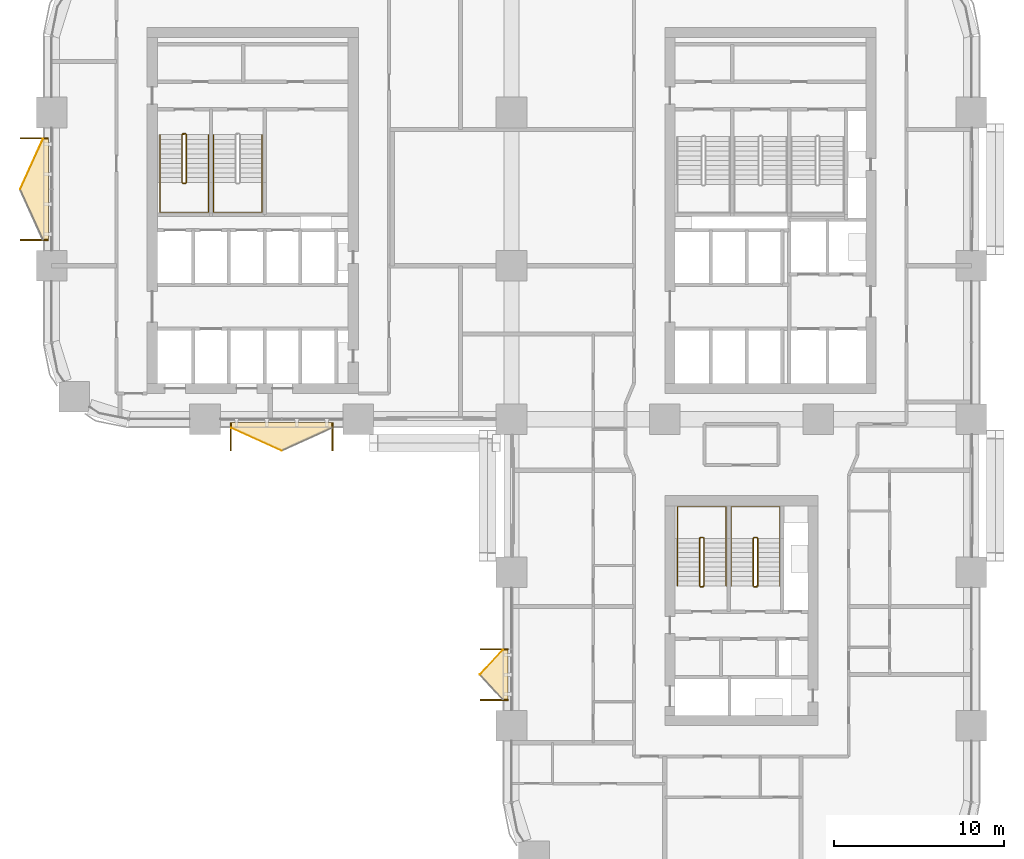
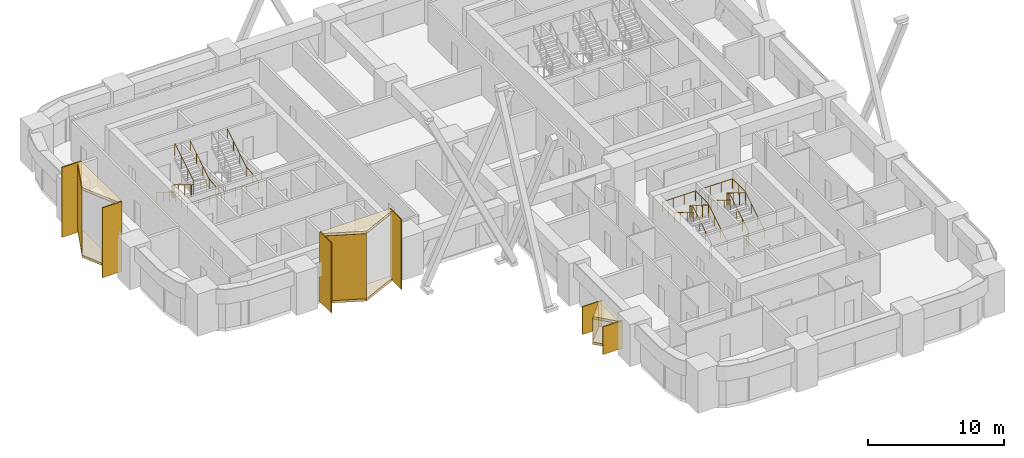
# One storey, part 18 of 19: 15 coverings, 7 railings.
"""IFC4 building model written with IfcOpenShell, lengths in metres."""

from ifc_helpers import new_model, si_unit, direction, frame, origin, origin_2d, place, context, subcontext, project, spatial, polyline, rectangle, circle, outline, extrude, material, layer, layer_set, type_object, element, save


model = new_model("IFC4")

# Units and contexts
model_context = context("Model", 3, precision=1e-05, world=origin(), true_north=direction((0.0, 1.0)))
body_context = subcontext(model_context, "Body", "Model", "MODEL_VIEW")
ifc_project = project(units=[si_unit("LENGTHUNIT", "METRE"), si_unit("AREAUNIT", "SQUARE_METRE"), si_unit("VOLUMEUNIT", "CUBIC_METRE"), si_unit("PLANEANGLEUNIT", "RADIAN"), si_unit("MASSUNIT", "GRAM", prefix="KILO")], contexts=[model_context])

# Site, building, storey
site_placement = place(None, origin())
site = spatial("IfcSite", under=ifc_project, at=site_placement, CompositionType="ELEMENT")
building_placement = place(site_placement, origin())
building = spatial("IfcBuilding", under=site, at=building_placement, Name="Tessera Arch", CompositionType="ELEMENT")
storey_placement = place(building_placement, frame((0.0, 0.0, 108.199951171875)))
storey = spatial("IfcBuildingStorey", under=building, at=storey_placement, Name="L25", CompositionType="ELEMENT", Elevation=108.199951171875)

# Railings
ifc_material_1 = material(Name="Painted steel balustrade", Category="steel")
railing_type_1 = type_object("IfcRailingType", Name="Stair guard 1100", PredefinedType="GUARDRAIL", material=ifc_material_1)
railing_1_placement = place(storey_placement, frame((7.699951171875, 43.75, 0.0)))
element("IfcRailing", 1, at=railing_1_placement, inside=storey, type_object=railing_type_1, Name="L25 S2a stair guard 1", PredefinedType="GUARDRAIL", context=body_context, shape_type="SweptSolid", body=[
    extrude(circle(Radius=0.02392578125, at=origin_2d()), frame((-0.00390625, 0.0, 1.076171875), z_axis=(1.0, 0.0, 0.0), x_axis=(0.0, 1.0, 0.0)), (0.0, 0.0, 1.0), 0.158203125),
    extrude(circle(Radius=0.02392578125, at=origin_2d()), frame((0.153076171875, 0.000732421875, 1.073486328125), z_axis=(-0.743708266585, -0.185927066646, 0.642128600905), x_axis=(0.242535625036, -0.970142500145, 0.0)), (0.0, 0.0, 1.0), 0.277099609375),
    extrude(circle(Radius=0.02392578125, at=origin_2d()), frame((-0.050048828125, -0.046630859375, 1.246826171875), z_axis=(0.0, -0.851089632645, 0.525020415988), x_axis=(1.0, 0.0, 0.0)), (0.0, 0.0, 1.0), 3.2978515625),
    extrude(circle(Radius=0.02392578125, at=origin_2d()), frame((-0.052978515625, -2.84716796875, 2.97607421875), z_axis=(0.708833529934, -0.705375805398, 0.0), x_axis=(0.705375805398, 0.708833529934, 0.0)), (0.0, 0.0, 1.0), 0.07861328125),
    extrude(circle(Radius=0.02392578125, at=origin_2d()), frame((-0.00390625, -2.89990234375, 2.97607421875), z_axis=(1.0, 0.0, 0.0), x_axis=(0.0, 1.0, 0.0)), (0.0, 0.0, 1.0), 0.158203125),
    extrude(circle(Radius=0.02392578125, at=origin_2d()), frame((0.149169921875, -2.90087890625, 2.972412109375), z_axis=(0.26715648603, 0.26715648603, 0.925880566782), x_axis=(-0.707106781187, 0.707106781187, 0.0)), (0.0, 0.0, 1.0), 0.1943359375),
    extrude(circle(Radius=0.02392578125, at=origin_2d()), frame((0.199951171875, -2.853515625, 3.146728515625), z_axis=(0.0, 0.851089632645, 0.525020415988), x_axis=(-1.0, 0.0, 0.0)), (0.0, 0.0, 1.0), 3.2978515625),
    extrude(circle(Radius=0.02099609375, at=origin_2d()), origin(), (0.0, 0.0, 1.0), 1.06396484375),
    extrude(circle(Radius=0.02099609375, at=origin_2d()), frame((0.150146484375, 0.0, 0.0)), (0.0, 0.0, 1.0), 1.06396484375),
    extrude(circle(Radius=0.02099609375, at=origin_2d()), frame((-0.050048828125, -0.050048828125, 0.1728515625)), (0.0, 0.0, 1.0), 1.06396484375),
    extrude(circle(Radius=0.02099609375, at=origin_2d()), frame((-0.050048828125, -0.9833984375, 0.74853515625)), (0.0, 0.0, 1.0), 1.06396484375),
    extrude(circle(Radius=0.02099609375, at=origin_2d()), frame((-0.050048828125, -1.916748046875, 1.324462890625)), (0.0, 0.0, 1.0), 1.06396484375),
    extrude(circle(Radius=0.02099609375, at=origin_2d()), frame((-0.050048828125, -2.85009765625, 1.900146484375)), (0.0, 0.0, 1.0), 1.06396484375),
    extrude(circle(Radius=0.02099609375, at=origin_2d()), frame((0.0, -2.89990234375, 1.900146484375)), (0.0, 0.0, 1.0), 1.06396484375),
    extrude(circle(Radius=0.02099609375, at=origin_2d()), frame((0.150146484375, -2.89990234375, 1.900146484375)), (0.0, 0.0, 1.0), 1.06396484375),
    extrude(circle(Radius=0.02099609375, at=origin_2d()), frame((0.199951171875, -2.85009765625, 2.07275390625)), (0.0, 0.0, 1.0), 1.06396484375),
    extrude(circle(Radius=0.02099609375, at=origin_2d()), frame((0.199951171875, -1.916748046875, 2.6484375)), (0.0, 0.0, 1.0), 1.06396484375),
    extrude(circle(Radius=0.02099609375, at=origin_2d()), frame((0.199951171875, -0.9833984375, 3.224365234375)), (0.0, 0.0, 1.0), 1.06396484375),
    extrude(circle(Radius=0.02099609375, at=origin_2d()), frame((0.199951171875, -0.050048828125, 3.800048828125)), (0.0, 0.0, 1.0), 1.06396484375),
])
railing_2_placement = place(storey_placement, frame((38.25, 17.14990234375, 0.0)))
element("IfcRailing", 2, at=railing_2_placement, inside=storey, type_object=railing_type_1, Name="L25 S3a stair guard 1", PredefinedType="GUARDRAIL", context=body_context, shape_type="SweptSolid", body=[
    extrude(circle(Radius=0.02392578125, at=origin_2d()), frame((0.00390625, 0.0, 1.076171875), z_axis=(-1.0, 0.0, 0.0), x_axis=(0.0, -1.0, 0.0)), (0.0, 0.0, 1.0), 0.157958984375),
    extrude(circle(Radius=0.02392578125, at=origin_2d()), frame((-0.15283203125, -0.000732421875, 1.073486328125), z_axis=(0.743302536996, 0.186052527575, 0.642561900114), x_axis=(-0.242814311512, 0.970072785993, 0.0)), (0.0, 0.0, 1.0), 0.277099609375),
    extrude(circle(Radius=0.02392578125, at=origin_2d()), frame((0.050048828125, 0.046630859375, 1.246826171875), z_axis=(0.0, 0.851089632645, 0.525020415988), x_axis=(-1.0, 0.0, 0.0)), (0.0, 0.0, 1.0), 3.2978515625),
    extrude(circle(Radius=0.02392578125, at=origin_2d()), frame((0.052978515625, 2.84716796875, 2.97607421875), z_axis=(-0.707106781187, 0.707106781187, 0.0), x_axis=(-0.707106781187, -0.707106781187, 0.0)), (0.0, 0.0, 1.0), 0.078857421875),
    extrude(circle(Radius=0.02392578125, at=origin_2d()), frame((0.00390625, 2.900146484375, 2.97607421875), z_axis=(-1.0, 0.0, 0.0), x_axis=(0.0, -1.0, 0.0)), (0.0, 0.0, 1.0), 0.157958984375),
    extrude(circle(Radius=0.02392578125, at=origin_2d()), frame((-0.14892578125, 2.901123046875, 2.972412109375), z_axis=(-0.268277960024, -0.268277960024, 0.925231793839), x_axis=(0.707106781187, -0.707106781187, 0.0)), (0.0, 0.0, 1.0), 0.194580078125),
    extrude(circle(Radius=0.02392578125, at=origin_2d()), frame((-0.199951171875, 2.853515625, 3.146728515625), z_axis=(0.0, -0.851089632645, 0.525020415988), x_axis=(1.0, 0.0, 0.0)), (0.0, 0.0, 1.0), 3.2978515625),
    extrude(circle(Radius=0.02099609375, at=origin_2d()), origin(), (0.0, 0.0, 1.0), 1.06396484375),
    extrude(circle(Radius=0.02099609375, at=origin_2d()), frame((-0.14990234375, 0.0, 0.0)), (0.0, 0.0, 1.0), 1.06396484375),
    extrude(circle(Radius=0.02099609375, at=origin_2d()), frame((0.050048828125, 0.050048828125, 0.1728515625)), (0.0, 0.0, 1.0), 1.06396484375),
    extrude(circle(Radius=0.02099609375, at=origin_2d()), frame((0.050048828125, 0.9833984375, 0.74853515625)), (0.0, 0.0, 1.0), 1.06396484375),
    extrude(circle(Radius=0.02099609375, at=origin_2d()), frame((0.050048828125, 1.916748046875, 1.324462890625)), (0.0, 0.0, 1.0), 1.06396484375),
    extrude(circle(Radius=0.02099609375, at=origin_2d()), frame((0.050048828125, 2.85009765625, 1.900146484375)), (0.0, 0.0, 1.0), 1.06396484375),
    extrude(circle(Radius=0.02099609375, at=origin_2d()), frame((0.0, 2.900146484375, 1.900146484375)), (0.0, 0.0, 1.0), 1.06396484375),
    extrude(circle(Radius=0.02099609375, at=origin_2d()), frame((-0.14990234375, 2.900146484375, 1.900146484375)), (0.0, 0.0, 1.0), 1.06396484375),
    extrude(circle(Radius=0.02099609375, at=origin_2d()), frame((-0.199951171875, 2.85009765625, 2.07275390625)), (0.0, 0.0, 1.0), 1.06396484375),
    extrude(circle(Radius=0.02099609375, at=origin_2d()), frame((-0.199951171875, 1.916748046875, 2.6484375)), (0.0, 0.0, 1.0), 1.06396484375),
    extrude(circle(Radius=0.02099609375, at=origin_2d()), frame((-0.199951171875, 0.9833984375, 3.224365234375)), (0.0, 0.0, 1.0), 1.06396484375),
    extrude(circle(Radius=0.02099609375, at=origin_2d()), frame((-0.199951171875, 0.050048828125, 3.800048828125)), (0.0, 0.0, 1.0), 1.06396484375),
])
railing_3_placement = place(storey_placement, frame((41.39990234375, 17.14990234375, 0.0)))
element("IfcRailing", 3, at=railing_3_placement, inside=storey, type_object=railing_type_1, Name="L25 S3b stair guard 1", PredefinedType="GUARDRAIL", context=body_context, shape_type="SweptSolid", body=[
    extrude(circle(Radius=0.02392578125, at=origin_2d()), frame((0.00390625, 0.0, 1.076171875), z_axis=(-1.0, 0.0, 0.0), x_axis=(0.0, -1.0, 0.0)), (0.0, 0.0, 1.0), 0.157958984375),
    extrude(circle(Radius=0.02392578125, at=origin_2d()), frame((-0.15283203125, -0.000732421875, 1.073486328125), z_axis=(0.743302536996, 0.186052527575, 0.642561900114), x_axis=(-0.242814311512, 0.970072785993, 0.0)), (0.0, 0.0, 1.0), 0.277099609375),
    extrude(circle(Radius=0.02392578125, at=origin_2d()), frame((0.050048828125, 0.046630859375, 1.246826171875), z_axis=(0.0, 0.851089632645, 0.525020415988), x_axis=(-1.0, 0.0, 0.0)), (0.0, 0.0, 1.0), 3.2978515625),
    extrude(circle(Radius=0.02392578125, at=origin_2d()), frame((0.052978515625, 2.84716796875, 2.97607421875), z_axis=(-0.707106781187, 0.707106781187, 0.0), x_axis=(-0.707106781187, -0.707106781187, 0.0)), (0.0, 0.0, 1.0), 0.078857421875),
    extrude(circle(Radius=0.02392578125, at=origin_2d()), frame((0.00390625, 2.900146484375, 2.97607421875), z_axis=(-1.0, 0.0, 0.0), x_axis=(0.0, -1.0, 0.0)), (0.0, 0.0, 1.0), 0.157958984375),
    extrude(circle(Radius=0.02392578125, at=origin_2d()), frame((-0.14892578125, 2.901123046875, 2.972412109375), z_axis=(-0.268277960024, -0.268277960024, 0.925231793839), x_axis=(0.707106781187, -0.707106781187, 0.0)), (0.0, 0.0, 1.0), 0.194580078125),
    extrude(circle(Radius=0.02392578125, at=origin_2d()), frame((-0.199951171875, 2.853515625, 3.146728515625), z_axis=(0.0, -0.851089632645, 0.525020415988), x_axis=(1.0, 0.0, 0.0)), (0.0, 0.0, 1.0), 3.2978515625),
    extrude(circle(Radius=0.02099609375, at=origin_2d()), origin(), (0.0, 0.0, 1.0), 1.06396484375),
    extrude(circle(Radius=0.02099609375, at=origin_2d()), frame((-0.14990234375, 0.0, 0.0)), (0.0, 0.0, 1.0), 1.06396484375),
    extrude(circle(Radius=0.02099609375, at=origin_2d()), frame((0.050048828125, 0.050048828125, 0.1728515625)), (0.0, 0.0, 1.0), 1.06396484375),
    extrude(circle(Radius=0.02099609375, at=origin_2d()), frame((0.050048828125, 0.9833984375, 0.74853515625)), (0.0, 0.0, 1.0), 1.06396484375),
    extrude(circle(Radius=0.02099609375, at=origin_2d()), frame((0.050048828125, 1.916748046875, 1.324462890625)), (0.0, 0.0, 1.0), 1.06396484375),
    extrude(circle(Radius=0.02099609375, at=origin_2d()), frame((0.050048828125, 2.85009765625, 1.900146484375)), (0.0, 0.0, 1.0), 1.06396484375),
    extrude(circle(Radius=0.02099609375, at=origin_2d()), frame((0.0, 2.900146484375, 1.900146484375)), (0.0, 0.0, 1.0), 1.06396484375),
    extrude(circle(Radius=0.02099609375, at=origin_2d()), frame((-0.14990234375, 2.900146484375, 1.900146484375)), (0.0, 0.0, 1.0), 1.06396484375),
    extrude(circle(Radius=0.02099609375, at=origin_2d()), frame((-0.199951171875, 2.85009765625, 2.07275390625)), (0.0, 0.0, 1.0), 1.06396484375),
    extrude(circle(Radius=0.02099609375, at=origin_2d()), frame((-0.199951171875, 1.916748046875, 2.6484375)), (0.0, 0.0, 1.0), 1.06396484375),
    extrude(circle(Radius=0.02099609375, at=origin_2d()), frame((-0.199951171875, 0.9833984375, 3.224365234375)), (0.0, 0.0, 1.0), 1.06396484375),
    extrude(circle(Radius=0.02099609375, at=origin_2d()), frame((-0.199951171875, 0.050048828125, 3.800048828125)), (0.0, 0.0, 1.0), 1.06396484375),
])
ifc_material_2 = material(Name="Painted steel handrail", Category="steel")
railing_type_2 = type_object("IfcRailingType", Name="Stair handrail 900", PredefinedType="HANDRAIL", material=ifc_material_2)
railing_4_placement = place(storey_placement, frame((6.35009765625, 43.699951171875, 0.1728515625)))
element("IfcRailing", 4, at=railing_4_placement, inside=storey, type_object=railing_type_2, Name="L25 S2a stair handrail", PredefinedType="HANDRAIL", context=body_context, shape_type="SweptSolid", body=[
    extrude(circle(Radius=0.02392578125, at=origin_2d()), frame((0.0, 0.00341796875, 0.873779296875), z_axis=(0.0, -0.851089632645, 0.525020415988), x_axis=(1.0, 0.0, 0.0)), (0.0, 0.0, 1.0), 3.2978515625),
    extrude(circle(Radius=0.02392578125, at=origin_2d()), frame((0.0, -2.796142578125, 2.60302734375), z_axis=(0.0, -1.0, 0.0), x_axis=(1.0, 0.0, 0.0)), (0.0, 0.0, 1.0), 1.758056640625),
    extrude(circle(Radius=0.02392578125, at=origin_2d()), frame((-0.00390625, -4.550048828125, 2.60302734375), z_axis=(1.0, 0.0, 0.0), x_axis=(0.0, 1.0, 0.0)), (0.0, 0.0, 1.0), 2.85791015625),
    extrude(circle(Radius=0.02392578125, at=origin_2d()), frame((2.849853515625, -4.553955078125, 2.602783203125), z_axis=(0.0, 0.995170989745, 0.098156513637), x_axis=(-1.0, 0.0, 0.0)), (0.0, 0.0, 1.0), 1.7666015625),
    extrude(circle(Radius=0.02392578125, at=origin_2d()), frame((2.849853515625, -2.803466796875, 2.773681640625), z_axis=(0.0, 0.851089632645, 0.525020415988), x_axis=(-1.0, 0.0, 0.0)), (0.0, 0.0, 1.0), 3.2978515625),
    extrude(circle(Radius=0.02099609375, at=origin_2d()), origin(), (0.0, 0.0, 1.0), 0.86376953125),
    extrude(circle(Radius=0.02099609375, at=origin_2d()), frame((0.0, -0.933349609375, 0.57568359375)), (0.0, 0.0, 1.0), 0.86376953125),
    extrude(circle(Radius=0.02099609375, at=origin_2d()), frame((0.0, -1.86669921875, 1.151611328125)), (0.0, 0.0, 1.0), 0.86376953125),
    extrude(circle(Radius=0.02099609375, at=origin_2d()), frame((0.0, -2.800048828125, 1.727294921875)), (0.0, 0.0, 1.0), 0.86376953125),
    extrude(circle(Radius=0.02099609375, at=origin_2d()), frame((0.0, -3.675048828125, 1.727294921875)), (0.0, 0.0, 1.0), 0.86376953125),
    extrude(circle(Radius=0.02099609375, at=origin_2d()), frame((0.0, -4.550048828125, 1.727294921875)), (0.0, 0.0, 1.0), 0.86376953125),
    extrude(circle(Radius=0.02099609375, at=origin_2d()), frame((0.949951171875, -4.550048828125, 1.727294921875)), (0.0, 0.0, 1.0), 0.86376953125),
    extrude(circle(Radius=0.02099609375, at=origin_2d()), frame((1.89990234375, -4.550048828125, 1.727294921875)), (0.0, 0.0, 1.0), 0.86376953125),
    extrude(circle(Radius=0.02099609375, at=origin_2d()), frame((2.849853515625, -4.550048828125, 1.727294921875)), (0.0, 0.0, 1.0), 0.86376953125),
    extrude(circle(Radius=0.02099609375, at=origin_2d()), frame((2.849853515625, -3.675048828125, 1.8134765625)), (0.0, 0.0, 1.0), 0.86376953125),
    extrude(circle(Radius=0.02099609375, at=origin_2d()), frame((2.849853515625, -2.800048828125, 1.89990234375)), (0.0, 0.0, 1.0), 0.86376953125),
    extrude(circle(Radius=0.02099609375, at=origin_2d()), frame((2.849853515625, -1.86669921875, 2.4755859375)), (0.0, 0.0, 1.0), 0.86376953125),
    extrude(circle(Radius=0.02099609375, at=origin_2d()), frame((2.849853515625, -0.933349609375, 3.051513671875)), (0.0, 0.0, 1.0), 0.86376953125),
    extrude(circle(Radius=0.02099609375, at=origin_2d()), frame((2.849853515625, 0.0, 3.627197265625)), (0.0, 0.0, 1.0), 0.86376953125),
])
railing_5_placement = place(storey_placement, frame((9.5, 43.699951171875, 0.1728515625)))
element("IfcRailing", 5, at=railing_5_placement, inside=storey, type_object=railing_type_2, Name="L25 S2b stair handrail", PredefinedType="HANDRAIL", context=body_context, shape_type="SweptSolid", body=[
    extrude(circle(Radius=0.02392578125, at=origin_2d()), frame((0.0, 0.00341796875, 0.873779296875), z_axis=(0.0, -0.851089632645, 0.525020415988), x_axis=(1.0, 0.0, 0.0)), (0.0, 0.0, 1.0), 3.2978515625),
    extrude(circle(Radius=0.02392578125, at=origin_2d()), frame((0.0, -2.796142578125, 2.60302734375), z_axis=(0.0, -1.0, 0.0), x_axis=(1.0, 0.0, 0.0)), (0.0, 0.0, 1.0), 1.758056640625),
    extrude(circle(Radius=0.02392578125, at=origin_2d()), frame((-0.00390625, -4.550048828125, 2.60302734375), z_axis=(1.0, 0.0, 0.0), x_axis=(0.0, 1.0, 0.0)), (0.0, 0.0, 1.0), 2.858154296875),
    extrude(circle(Radius=0.02392578125, at=origin_2d()), frame((2.85009765625, -4.553955078125, 2.602783203125), z_axis=(0.0, 0.995170989745, 0.098156513637), x_axis=(-1.0, 0.0, 0.0)), (0.0, 0.0, 1.0), 1.7666015625),
    extrude(circle(Radius=0.02392578125, at=origin_2d()), frame((2.85009765625, -2.803466796875, 2.773681640625), z_axis=(0.0, 0.851089632645, 0.525020415988), x_axis=(-1.0, 0.0, 0.0)), (0.0, 0.0, 1.0), 3.2978515625),
    extrude(circle(Radius=0.02099609375, at=origin_2d()), origin(), (0.0, 0.0, 1.0), 0.86376953125),
    extrude(circle(Radius=0.02099609375, at=origin_2d()), frame((0.0, -0.933349609375, 0.57568359375)), (0.0, 0.0, 1.0), 0.86376953125),
    extrude(circle(Radius=0.02099609375, at=origin_2d()), frame((0.0, -1.86669921875, 1.151611328125)), (0.0, 0.0, 1.0), 0.86376953125),
    extrude(circle(Radius=0.02099609375, at=origin_2d()), frame((0.0, -2.800048828125, 1.727294921875)), (0.0, 0.0, 1.0), 0.86376953125),
    extrude(circle(Radius=0.02099609375, at=origin_2d()), frame((0.0, -3.675048828125, 1.727294921875)), (0.0, 0.0, 1.0), 0.86376953125),
    extrude(circle(Radius=0.02099609375, at=origin_2d()), frame((0.0, -4.550048828125, 1.727294921875)), (0.0, 0.0, 1.0), 0.86376953125),
    extrude(circle(Radius=0.02099609375, at=origin_2d()), frame((0.949951171875, -4.550048828125, 1.727294921875)), (0.0, 0.0, 1.0), 0.86376953125),
    extrude(circle(Radius=0.02099609375, at=origin_2d()), frame((1.900146484375, -4.550048828125, 1.727294921875)), (0.0, 0.0, 1.0), 0.86376953125),
    extrude(circle(Radius=0.02099609375, at=origin_2d()), frame((2.85009765625, -4.550048828125, 1.727294921875)), (0.0, 0.0, 1.0), 0.86376953125),
    extrude(circle(Radius=0.02099609375, at=origin_2d()), frame((2.85009765625, -3.675048828125, 1.8134765625)), (0.0, 0.0, 1.0), 0.86376953125),
    extrude(circle(Radius=0.02099609375, at=origin_2d()), frame((2.85009765625, -2.800048828125, 1.89990234375)), (0.0, 0.0, 1.0), 0.86376953125),
    extrude(circle(Radius=0.02099609375, at=origin_2d()), frame((2.85009765625, -1.86669921875, 2.4755859375)), (0.0, 0.0, 1.0), 0.86376953125),
    extrude(circle(Radius=0.02099609375, at=origin_2d()), frame((2.85009765625, -0.933349609375, 3.051513671875)), (0.0, 0.0, 1.0), 0.86376953125),
    extrude(circle(Radius=0.02099609375, at=origin_2d()), frame((2.85009765625, 0.0, 3.627197265625)), (0.0, 0.0, 1.0), 0.86376953125),
])
railing_6_placement = place(storey_placement, frame((39.60009765625, 17.199951171875, 0.1728515625)))
element("IfcRailing", 6, at=railing_6_placement, inside=storey, type_object=railing_type_2, Name="L25 S3a stair handrail", PredefinedType="HANDRAIL", context=body_context, shape_type="SweptSolid", body=[
    extrude(circle(Radius=0.02392578125, at=origin_2d()), frame((0.0, -0.00341796875, 0.873779296875), z_axis=(0.0, 0.851089632645, 0.525020415988), x_axis=(-1.0, 0.0, 0.0)), (0.0, 0.0, 1.0), 3.2978515625),
    extrude(circle(Radius=0.02392578125, at=origin_2d()), frame((0.0, 2.796142578125, 2.60302734375), z_axis=(0.0, 1.0, 0.0), x_axis=(-1.0, 0.0, 0.0)), (0.0, 0.0, 1.0), 1.858154296875),
    extrude(circle(Radius=0.02392578125, at=origin_2d()), frame((0.00390625, 4.650146484375, 2.60302734375), z_axis=(-1.0, 0.0, 0.0), x_axis=(0.0, -1.0, 0.0)), (0.0, 0.0, 1.0), 2.858154296875),
    extrude(circle(Radius=0.02392578125, at=origin_2d()), frame((-2.85009765625, 4.654052734375, 2.602783203125), z_axis=(0.0, -0.995676099079, 0.092892979948), x_axis=(1.0, 0.0, 0.0)), (0.0, 0.0, 1.0), 1.8662109375),
    extrude(circle(Radius=0.02392578125, at=origin_2d()), frame((-2.85009765625, 2.803466796875, 2.773681640625), z_axis=(0.0, -0.851089632645, 0.525020415988), x_axis=(1.0, 0.0, 0.0)), (0.0, 0.0, 1.0), 3.2978515625),
    extrude(circle(Radius=0.02099609375, at=origin_2d()), origin(), (0.0, 0.0, 1.0), 0.86376953125),
    extrude(circle(Radius=0.02099609375, at=origin_2d()), frame((0.0, 0.933349609375, 0.57568359375)), (0.0, 0.0, 1.0), 0.86376953125),
    extrude(circle(Radius=0.02099609375, at=origin_2d()), frame((0.0, 1.86669921875, 1.151611328125)), (0.0, 0.0, 1.0), 0.86376953125),
    extrude(circle(Radius=0.02099609375, at=origin_2d()), frame((0.0, 2.800048828125, 1.727294921875)), (0.0, 0.0, 1.0), 0.86376953125),
    extrude(circle(Radius=0.02099609375, at=origin_2d()), frame((0.0, 3.72509765625, 1.727294921875)), (0.0, 0.0, 1.0), 0.86376953125),
    extrude(circle(Radius=0.02099609375, at=origin_2d()), frame((0.0, 4.650146484375, 1.727294921875)), (0.0, 0.0, 1.0), 0.86376953125),
    extrude(circle(Radius=0.02099609375, at=origin_2d()), frame((-0.949951171875, 4.650146484375, 1.727294921875)), (0.0, 0.0, 1.0), 0.86376953125),
    extrude(circle(Radius=0.02099609375, at=origin_2d()), frame((-1.900146484375, 4.650146484375, 1.727294921875)), (0.0, 0.0, 1.0), 0.86376953125),
    extrude(circle(Radius=0.02099609375, at=origin_2d()), frame((-2.85009765625, 4.650146484375, 1.727294921875)), (0.0, 0.0, 1.0), 0.86376953125),
    extrude(circle(Radius=0.02099609375, at=origin_2d()), frame((-2.85009765625, 3.72509765625, 1.8134765625)), (0.0, 0.0, 1.0), 0.86376953125),
    extrude(circle(Radius=0.02099609375, at=origin_2d()), frame((-2.85009765625, 2.800048828125, 1.89990234375)), (0.0, 0.0, 1.0), 0.86376953125),
    extrude(circle(Radius=0.02099609375, at=origin_2d()), frame((-2.85009765625, 1.86669921875, 2.4755859375)), (0.0, 0.0, 1.0), 0.86376953125),
    extrude(circle(Radius=0.02099609375, at=origin_2d()), frame((-2.85009765625, 0.933349609375, 3.051513671875)), (0.0, 0.0, 1.0), 0.86376953125),
    extrude(circle(Radius=0.02099609375, at=origin_2d()), frame((-2.85009765625, 0.0, 3.627197265625)), (0.0, 0.0, 1.0), 0.86376953125),
])
railing_7_placement = place(storey_placement, frame((42.75, 17.199951171875, 0.1728515625)))
element("IfcRailing", 7, at=railing_7_placement, inside=storey, type_object=railing_type_2, Name="L25 S3b stair handrail", PredefinedType="HANDRAIL", context=body_context, shape_type="SweptSolid", body=[
    extrude(circle(Radius=0.02392578125, at=origin_2d()), frame((0.0, -0.00341796875, 0.873779296875), z_axis=(0.0, 0.851089632645, 0.525020415988), x_axis=(-1.0, 0.0, 0.0)), (0.0, 0.0, 1.0), 3.2978515625),
    extrude(circle(Radius=0.02392578125, at=origin_2d()), frame((0.0, 2.796142578125, 2.60302734375), z_axis=(0.0, 1.0, 0.0), x_axis=(-1.0, 0.0, 0.0)), (0.0, 0.0, 1.0), 1.858154296875),
    extrude(circle(Radius=0.02392578125, at=origin_2d()), frame((0.00390625, 4.650146484375, 2.60302734375), z_axis=(-1.0, 0.0, 0.0), x_axis=(0.0, -1.0, 0.0)), (0.0, 0.0, 1.0), 2.858154296875),
    extrude(circle(Radius=0.02392578125, at=origin_2d()), frame((-2.85009765625, 4.654052734375, 2.602783203125), z_axis=(0.0, -0.995676099079, 0.092892979948), x_axis=(1.0, 0.0, 0.0)), (0.0, 0.0, 1.0), 1.8662109375),
    extrude(circle(Radius=0.02392578125, at=origin_2d()), frame((-2.85009765625, 2.803466796875, 2.773681640625), z_axis=(0.0, -0.851089632645, 0.525020415988), x_axis=(1.0, 0.0, 0.0)), (0.0, 0.0, 1.0), 3.2978515625),
    extrude(circle(Radius=0.02099609375, at=origin_2d()), origin(), (0.0, 0.0, 1.0), 0.86376953125),
    extrude(circle(Radius=0.02099609375, at=origin_2d()), frame((0.0, 0.933349609375, 0.57568359375)), (0.0, 0.0, 1.0), 0.86376953125),
    extrude(circle(Radius=0.02099609375, at=origin_2d()), frame((0.0, 1.86669921875, 1.151611328125)), (0.0, 0.0, 1.0), 0.86376953125),
    extrude(circle(Radius=0.02099609375, at=origin_2d()), frame((0.0, 2.800048828125, 1.727294921875)), (0.0, 0.0, 1.0), 0.86376953125),
    extrude(circle(Radius=0.02099609375, at=origin_2d()), frame((0.0, 3.72509765625, 1.727294921875)), (0.0, 0.0, 1.0), 0.86376953125),
    extrude(circle(Radius=0.02099609375, at=origin_2d()), frame((0.0, 4.650146484375, 1.727294921875)), (0.0, 0.0, 1.0), 0.86376953125),
    extrude(circle(Radius=0.02099609375, at=origin_2d()), frame((-0.949951171875, 4.650146484375, 1.727294921875)), (0.0, 0.0, 1.0), 0.86376953125),
    extrude(circle(Radius=0.02099609375, at=origin_2d()), frame((-1.900146484375, 4.650146484375, 1.727294921875)), (0.0, 0.0, 1.0), 0.86376953125),
    extrude(circle(Radius=0.02099609375, at=origin_2d()), frame((-2.85009765625, 4.650146484375, 1.727294921875)), (0.0, 0.0, 1.0), 0.86376953125),
    extrude(circle(Radius=0.02099609375, at=origin_2d()), frame((-2.85009765625, 3.72509765625, 1.8134765625)), (0.0, 0.0, 1.0), 0.86376953125),
    extrude(circle(Radius=0.02099609375, at=origin_2d()), frame((-2.85009765625, 2.800048828125, 1.89990234375)), (0.0, 0.0, 1.0), 0.86376953125),
    extrude(circle(Radius=0.02099609375, at=origin_2d()), frame((-2.85009765625, 1.86669921875, 2.4755859375)), (0.0, 0.0, 1.0), 0.86376953125),
    extrude(circle(Radius=0.02099609375, at=origin_2d()), frame((-2.85009765625, 0.933349609375, 3.051513671875)), (0.0, 0.0, 1.0), 0.86376953125),
    extrude(circle(Radius=0.02099609375, at=origin_2d()), frame((-2.85009765625, 0.0, 3.627197265625)), (0.0, 0.0, 1.0), 0.86376953125),
])

# Coverings
ifc_material_3 = material(Name="Anodised aluminium pale metal", Category="aluminium")
ifc_layer_1 = layer(ifc_material_3, 0.080078125)
ifc_layer_set_1 = layer_set([ifc_layer_1], Name="Window box cheek")
covering_type_1 = type_object("IfcCoveringType", Name="Window box cheek", PredefinedType="CLADDING", material=ifc_layer_set_1)
covering_1_placement = place(storey_placement, origin())
element("IfcCovering", 8, at=covering_1_placement, inside=storey, type_object=covering_type_1, Name="Window box W0.27/1.0 2x2 cheek", PredefinedType="CLADDING", context=body_context, shape_type="SweptSolid", body=[
    extrude(outline(polyline([(-1.85009765625, 43.530029296875), (-1.85009765625, 43.449951171875), (-0.199951171875, 43.449951171875), (-0.199951171875, 43.530029296875), (-1.85009765625, 43.530029296875)])), origin(), (0.0, 0.0, 1.0), 6.300048828125),
])
covering_2_placement = place(storey_placement, origin())
element("IfcCovering", 9, at=covering_2_placement, inside=storey, type_object=covering_type_1, Name="Window box W0.27/1.0 2x2 cheek", PredefinedType="CLADDING", context=body_context, shape_type="SweptSolid", body=[
    extrude(outline(polyline([(-1.85009765625, 37.550048828125), (-1.85009765625, 37.469970703125), (-0.199951171875, 37.469970703125), (-0.199951171875, 37.550048828125), (-1.85009765625, 37.550048828125)])), origin(), (0.0, 0.0, 1.0), 6.300048828125),
])
covering_3_placement = place(storey_placement, origin())
element("IfcCovering", 10, at=covering_3_placement, inside=storey, type_object=covering_type_1, Name="Window box S27.0/1.0 2x2 cheek", PredefinedType="CLADDING", context=body_context, shape_type="SweptSolid", body=[
    extrude(outline(polyline([(10.469970703125, 25.14990234375), (10.550048828125, 25.14990234375), (10.550048828125, 26.800048828125), (10.469970703125, 26.800048828125), (10.469970703125, 25.14990234375)])), origin(), (0.0, 0.0, 1.0), 6.300048828125),
])
covering_4_placement = place(storey_placement, origin())
element("IfcCovering", 11, at=covering_4_placement, inside=storey, type_object=covering_type_1, Name="Window box S27.0/1.0 2x2 cheek", PredefinedType="CLADDING", context=body_context, shape_type="SweptSolid", body=[
    extrude(outline(polyline([(16.449951171875, 25.14990234375), (16.530029296875, 25.14990234375), (16.530029296875, 26.800048828125), (16.449951171875, 26.800048828125), (16.449951171875, 25.14990234375)])), origin(), (0.0, 0.0, 1.0), 6.300048828125),
])
covering_5_placement = place(storey_placement, origin())
element("IfcCovering", 12, at=covering_5_placement, inside=storey, type_object=covering_type_1, Name="Window box W27.0/1.1 1x1 cheek", PredefinedType="CLADDING", context=body_context, shape_type="SweptSolid", body=[
    extrude(outline(polyline([(25.14990234375, 13.530029296875), (25.14990234375, 13.449951171875), (26.800048828125, 13.449951171875), (26.800048828125, 13.530029296875), (25.14990234375, 13.530029296875)])), origin(), (0.0, 0.0, 1.0), 2.5),
])
covering_6_placement = place(storey_placement, origin())
element("IfcCovering", 13, at=covering_6_placement, inside=storey, type_object=covering_type_1, Name="Window box W27.0/1.1 1x1 cheek", PredefinedType="CLADDING", context=body_context, shape_type="SweptSolid", body=[
    extrude(outline(polyline([(25.14990234375, 10.550048828125), (25.14990234375, 10.469970703125), (26.800048828125, 10.469970703125), (26.800048828125, 10.550048828125), (25.14990234375, 10.550048828125)])), origin(), (0.0, 0.0, 1.0), 2.5),
])
ifc_material_4 = material(Name="Anodised aluminium gold", Category="aluminium")
ifc_layer_2 = layer(ifc_material_4, 0.219970703125)
ifc_layer_set_2 = layer_set([ifc_layer_2], Name="Window box frame plate gold")
covering_type_2 = type_object("IfcCoveringType", Name="Window box frame plate gold", PredefinedType="CLADDING", material=ifc_layer_set_2)
for number, where, name in (
    (14, (0.0, 0.0, 0.0), "Window box W0.27/1.0 2x2 floor"),
    (15, (0.0, 0.0, 6.080078125), "Window box W0.27/1.0 2x2 roof"),
):
    element("IfcCovering", number, at=place(storey_placement, frame(where)), inside=storey, type_object=covering_type_2, Name=name, PredefinedType="CLADDING", context=body_context, shape_type="SweptSolid", body=[
        extrude(outline(polyline([(-0.510009765625, 43.449951171875), (-1.85009765625, 40.5), (-0.510009765625, 37.550048828125), (-0.199951171875, 37.550048828125), (-0.199951171875, 43.449951171875), (-0.510009765625, 43.449951171875)])), origin(), (0.0, 0.0, 1.0), 0.219970703125),
    ])
for number, where, name in (
    (16, (0.0, 0.0, 0.0), "Window box W27.0/1.1 1x1 floor"),
    (17, (0.0, 0.0, 2.280029296875), "Window box W27.0/1.1 1x1 roof"),
):
    element("IfcCovering", number, at=place(storey_placement, frame(where)), inside=storey, type_object=covering_type_2, Name=name, PredefinedType="CLADDING", context=body_context, shape_type="SweptSolid", body=[
        extrude(outline(polyline([(26.489990234375, 13.449951171875), (25.14990234375, 12.0), (26.489990234375, 10.550048828125), (26.800048828125, 10.550048828125), (26.800048828125, 13.449951171875), (26.489990234375, 13.449951171875)])), origin(), (0.0, 0.0, 1.0), 0.219970703125),
    ])
ifc_material_5 = material(Name="Anodised aluminium pale metal", Category="aluminium")
ifc_layer_3 = layer(ifc_material_5, 0.219970703125)
ifc_layer_set_3 = layer_set([ifc_layer_3], Name="Window box frame plate pale metal")
covering_type_3 = type_object("IfcCoveringType", Name="Window box frame plate pale metal", PredefinedType="CLADDING", material=ifc_layer_set_3)
for number, where, name in (
    (18, (0.0, 0.0, 0.0), "Window box S27.0/1.0 2x2 floor"),
    (19, (0.0, 0.0, 6.080078125), "Window box S27.0/1.0 2x2 roof"),
):
    element("IfcCovering", number, at=place(storey_placement, frame(where)), inside=storey, type_object=covering_type_3, Name=name, PredefinedType="CLADDING", context=body_context, shape_type="SweptSolid", body=[
        extrude(outline(polyline([(10.550048828125, 26.489990234375), (13.5, 25.14990234375), (16.449951171875, 26.489990234375), (16.449951171875, 26.800048828125), (10.550048828125, 26.800048828125), (10.550048828125, 26.489990234375)])), origin(), (0.0, 0.0, 1.0), 0.219970703125),
    ])
ifc_material_6 = material(Name="Anodised aluminium pale metal", Category="aluminium")
ifc_layer_4 = layer(ifc_material_6, 0.028076171875)
ifc_layer_set_4 = layer_set([ifc_layer_4], Name="Window box side panel")
covering_type_4 = type_object("IfcCoveringType", Name="Window box side panel", PredefinedType="CLADDING", material=ifc_layer_set_4)
for number, where, z_axis, x_axis, name in (
    (20, (-1.179931640625, 41.97509765625, 0.22021484375), (0.0, 0.0, 1.0), (-0.413570397858, -0.910472144558, 0.0), "Window box W0.27/1.0 2x2 side panel"),
    (21, (12.02490234375, 25.820068359375, 0.22021484375), (0.0, 0.0, 1.0), (0.910472144558, -0.413570397858, 0.0), "Window box S27.0/1.0 2x2 side panel"),
):
    element("IfcCovering", number, at=place(storey_placement, frame(where, z_axis=z_axis, x_axis=x_axis)), inside=storey, type_object=covering_type_4, Name=name, PredefinedType="CLADDING", context=body_context, shape_type="SweptSolid", body=[
        extrude(rectangle(XDim=3.239990234375, YDim=0.028076171875, at=origin_2d()), origin(), (0.0, 0.0, 1.0), 5.860107421875),
    ])
covering_7_placement = place(storey_placement, frame((25.820068359375, 12.72509765625, 0.219970703125), z_axis=(0.0, 0.0, 1.0), x_axis=(-0.678700720617, -0.734414958885, 0.0)))
element("IfcCovering", 22, at=covering_7_placement, inside=storey, type_object=covering_type_4, Name="Window box W27.0/1.1 1x1 side panel", PredefinedType="CLADDING", context=body_context, shape_type="SweptSolid", body=[
    extrude(rectangle(XDim=1.974365234375, YDim=0.028076171875, at=origin_2d()), origin(), (0.0, 0.0, 1.0), 2.06005859375),
])

save(model, "model.ifc")
